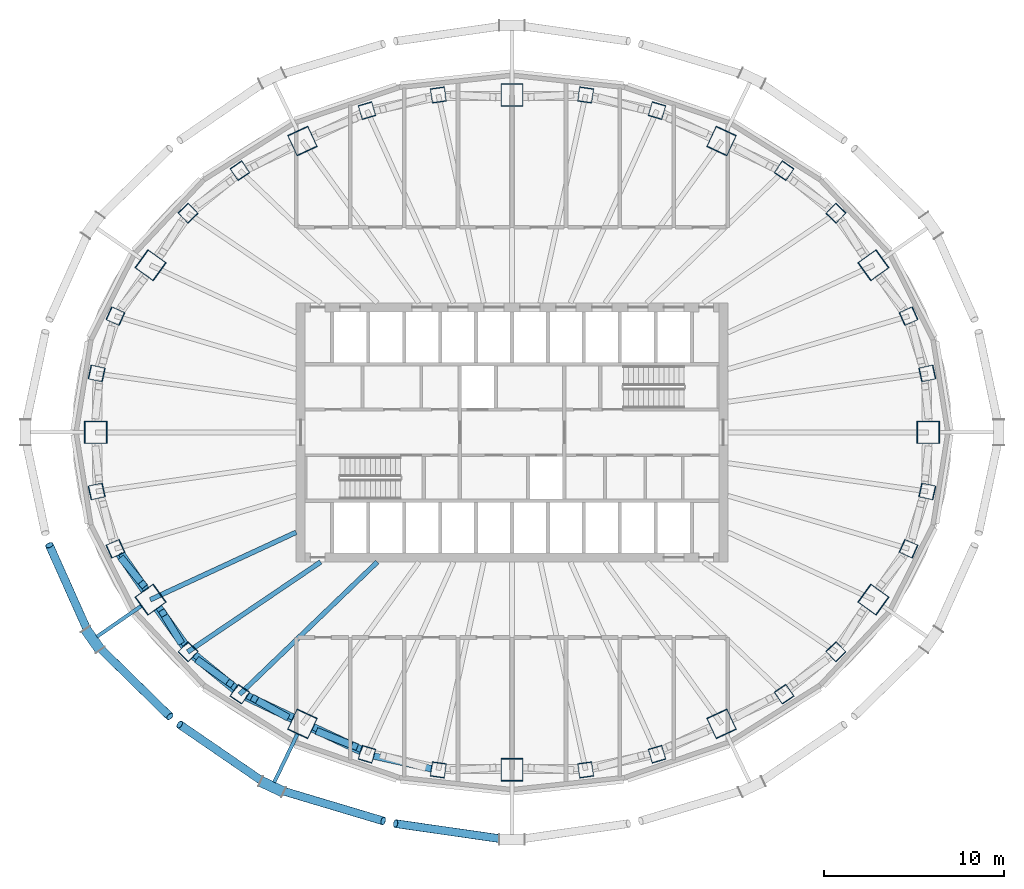
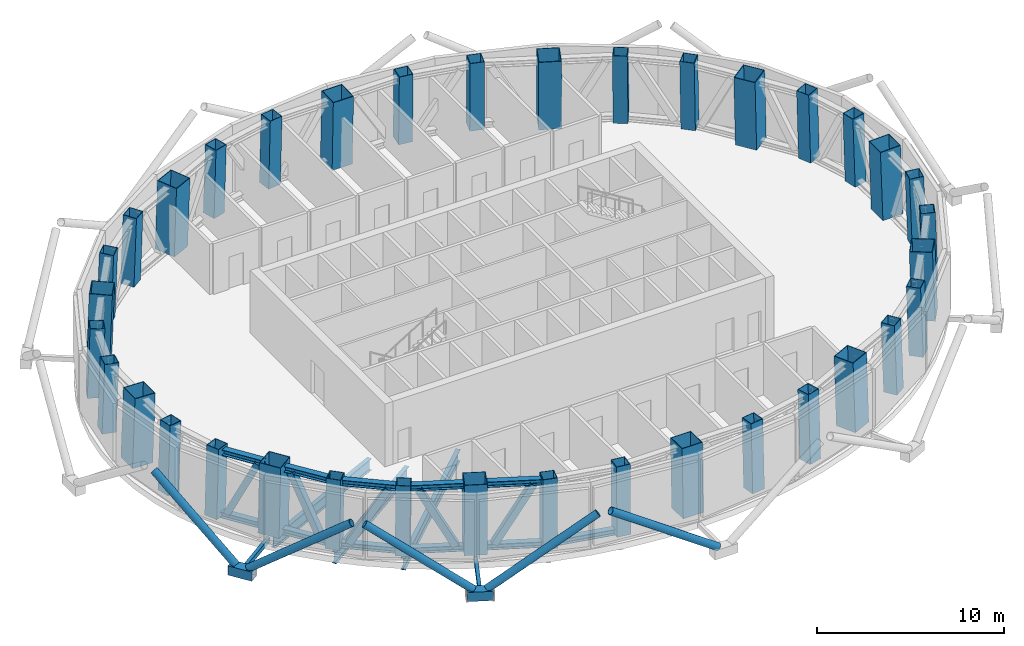
# One storey, part 1 of 16: 36 columns, 14 beams, 14 members.
"""IFC4 building model written with IfcOpenShell, lengths in metres."""

import ifcopenshell
import ifcopenshell.guid

model = None  # the IFC model being written
_history = None  # IfcOwnerHistory: only IFC2X3 demands one
_inside = {}  # id of a spatial element -> (the spatial element, [elements in it])
_under = {}  # id of a project, library or spatial element -> (it, [spatial elements below it])
_declared = {}  # id of a project -> (the project, [libraries it declares])
_typed = {}  # id of a type object -> (the type object, [elements of that type])
_made_of = {}  # id of a material, layer set ... -> (it, [elements and type objects made of it])


def new_model(schema):
    """Start an empty IFC model of exactly this schema.

    Asked for "IFC4X3", IfcOpenShell would pick the latest addendum, in which some entities
    have other attributes; the version numbers below select the first issue.
    IFC2X3 requires an IfcOwnerHistory on every rooted entity: one is made here for all.
    """
    global model, _history
    if schema == "IFC4X3":
        model = ifcopenshell.file(schema_version=(4, 3, 0, 0))
    else:
        model = ifcopenshell.file(schema=schema)
    _inside.clear()
    _under.clear()
    _declared.clear()
    _typed.clear()
    _made_of.clear()
    _history = None
    if model.schema == "IFC2X3":
        org = make("IfcOrganization", Name="unknown")
        user = make(
            "IfcPersonAndOrganization",
            ThePerson=make("IfcPerson", FamilyName="unknown"),
            TheOrganization=org,
        )
        app = make(
            "IfcApplication",
            ApplicationDeveloper=org,
            Version="unknown",
            ApplicationFullName="unknown",
            ApplicationIdentifier="unknown",
        )
        _history = make(
            "IfcOwnerHistory",
            OwningUser=user,
            OwningApplication=app,
            ChangeAction="ADDED",
            CreationDate=0,
        )
    return model


def make(cls, **values):
    """One entity of the class cls with the attributes given. An attribute that is None is left unset."""
    return model.create_entity(
        cls, **{name: value for name, value in values.items() if value is not None}
    )


def rooted(cls, **values):
    """An entity with a GlobalId (a new one), such as an element, a storey or a relation."""
    return make(cls, GlobalId=ifcopenshell.guid.new(), OwnerHistory=_history, **values)


def si_unit(unit_type, name, prefix=None):
    """IfcSIUnit, for example si_unit("LENGTHUNIT", "METRE", prefix="MILLI")."""
    return make("IfcSIUnit", UnitType=unit_type, Prefix=prefix, Name=name)


def assignment(units):
    """IfcUnitAssignment: the units of a project."""
    return None if units is None else make("IfcUnitAssignment", Units=units)


def point(xyz):
    """IfcCartesianPoint."""
    return None if xyz is None else make("IfcCartesianPoint", Coordinates=xyz)


def direction(xyz):
    """IfcDirection."""
    return None if xyz is None else make("IfcDirection", DirectionRatios=xyz)


def frame(location, z_axis=None, x_axis=None):
    """IfcAxis2Placement3D, a coordinate frame: its origin and axes. An axis left out is left unset."""
    return make(
        "IfcAxis2Placement3D",
        Location=point(location),
        Axis=direction(z_axis),
        RefDirection=direction(x_axis),
    )


def frame_2d(location, x_axis=None):
    """IfcAxis2Placement2D, a coordinate frame in the plane: its origin and x axis."""
    return make(
        "IfcAxis2Placement2D", Location=point(location), RefDirection=direction(x_axis)
    )


def origin():
    """The frame at (0, 0, 0) with its axes left unset."""
    return frame((0.0, 0.0, 0.0))


def origin_2d():
    """The frame at (0, 0) in the plane with its x axis left unset."""
    return frame_2d((0.0, 0.0))


def place(relative_to, where):
    """IfcLocalPlacement: puts the frame where relative to a parent placement (None: the world)."""
    return make(
        "IfcLocalPlacement", PlacementRelTo=relative_to, RelativePlacement=where
    )


def context(
    kind, dimensions, precision=None, world=None, true_north=None, identifier=None
):
    """IfcGeometricRepresentationContext, for example the 3D "Model" context."""
    return make(
        "IfcGeometricRepresentationContext",
        ContextIdentifier=identifier,
        ContextType=kind,
        CoordinateSpaceDimension=dimensions,
        Precision=precision,
        WorldCoordinateSystem=world,
        TrueNorth=true_north,
    )


def subcontext(parent, identifier, kind, view, scale=None):
    """IfcGeometricRepresentationSubContext, for example "Body" below "Model"."""
    return make(
        "IfcGeometricRepresentationSubContext",
        ContextIdentifier=identifier,
        ContextType=kind,
        ParentContext=parent,
        TargetScale=scale,
        TargetView=view,
    )


def project(units=None, contexts=None):
    """IfcProject with its units and contexts."""
    return rooted(
        "IfcProject",
        Name="project",
        RepresentationContexts=contexts,
        UnitsInContext=assignment(units),
    )


def spatial(cls, under=None, at=None, **own):
    """A site, building, storey or space (cls), placed at a placement, below another one or the project."""
    s = rooted(cls, ObjectPlacement=at, **own)
    if under is not None:
        _under.setdefault(under.id(), (under, []))[1].append(s)
    return s


def profile(cls, at=None, kind="AREA", **sizes):
    """A parametric profile (cls). Its sizes go by their IFC names, for example OverallWidth=200.0."""
    return make(cls, ProfileType=kind, Position=at, **sizes)


def hollow_rectangle(**sizes):
    """IfcRectangleHollowProfileDef."""
    return profile("IfcRectangleHollowProfileDef", **sizes)


def hollow_circle(**sizes):
    """IfcCircleHollowProfileDef."""
    return profile("IfcCircleHollowProfileDef", **sizes)


def i_section(**sizes):
    """IfcIShapeProfileDef."""
    return profile("IfcIShapeProfileDef", **sizes)


def extrude(swept, where, along, depth):
    """IfcExtrudedAreaSolid: the profile swept, set in the frame where, extruded along a direction by depth."""
    return make(
        "IfcExtrudedAreaSolid",
        SweptArea=swept,
        Position=where,
        ExtrudedDirection=direction(along),
        Depth=depth,
    )


def shape(context_of_items, identifier, shape_type, items):
    """IfcShapeRepresentation: the items that make up one representation, for example the "Body"."""
    return make(
        "IfcShapeRepresentation",
        ContextOfItems=context_of_items,
        RepresentationIdentifier=identifier,
        RepresentationType=shape_type,
        Items=items,
    )


def material(Name=None, Category=None):
    """IfcMaterial."""
    return make("IfcMaterial", Name=Name, Category=Category)


def material_profile(
    of_material, cross_section, Name=None, Category=None, Priority=None
):
    """IfcMaterialProfile: a cross section and its material."""
    return make(
        "IfcMaterialProfile",
        Name=Name,
        Material=of_material,
        Profile=cross_section,
        Priority=Priority,
        Category=Category,
    )


def profile_set(profiles, Name=None, composite=None):
    """IfcMaterialProfileSet."""
    return make(
        "IfcMaterialProfileSet",
        Name=Name,
        MaterialProfiles=profiles,
        CompositeProfile=composite,
    )


def made_of(thing, what):
    """Note that an element or type object is made of a material, layer set ...; save() writes the relation."""
    if what is not None:
        _made_of.setdefault(what.id(), (what, []))[1].append(thing)
    return thing


def type_object(cls, material=None, **own):
    """A type object (cls), such as IfcWallType, which elements share."""
    return made_of(rooted(cls, **own), material)


def element(
    cls,
    number,
    at=None,
    inside=None,
    cuts=None,
    type_object=None,
    material=None,
    context=None,
    identifier="Body",
    shape_type=None,
    held_by="IfcProductDefinitionShape",
    body=None,
    shapes=None,
    **own,
):
    """One element of the class cls, such as IfcWall. Its Tag is "e" and its number.

    at: its placement. inside: the storey or other place that contains it. cuts: it is an
    opening in that element (IfcRelVoidsElement). A single representation is given by context,
    identifier, shape_type and body (its items); several are given by shapes. held_by: the class
    of the entity that holds the representations. save() writes the other relations.
    """
    e = rooted(cls, Tag="e%d" % number, ObjectPlacement=at, **own)
    if body is not None:
        shapes = [shape(context, identifier, shape_type, body)]
    if shapes is not None:
        e.Representation = make(held_by, Representations=shapes)
    if inside is not None:
        _inside.setdefault(inside.id(), (inside, []))[1].append(e)
    if cuts is not None:
        rooted(
            "IfcRelVoidsElement", RelatingBuildingElement=cuts, RelatedOpeningElement=e
        )
    if type_object is not None:
        _typed.setdefault(type_object.id(), (type_object, []))[1].append(e)
    return made_of(e, material)


def aggregate(whole, parts):
    """IfcRelAggregates: a whole, such as a stair, and the parts it consists of."""
    return rooted("IfcRelAggregates", RelatingObject=whole, RelatedObjects=parts)


def save(model, path):
    """Write the relations noted so far, then the file.

    IfcRelAggregates (storeys below a building ...), IfcRelContainedInSpatialStructure (elements
    in a storey), IfcRelDefinesByType, IfcRelAssociatesMaterial and IfcRelDeclares: one each for
    every whole, place, type object, material and project.
    """
    for whole, parts in _under.values():
        aggregate(whole, parts)
    for where, things in _inside.values():
        rooted(
            "IfcRelContainedInSpatialStructure",
            RelatedElements=things,
            RelatingStructure=where,
        )
    for kind, things in _typed.values():
        rooted("IfcRelDefinesByType", RelatedObjects=things, RelatingType=kind)
    for what, things in _made_of.values():
        rooted("IfcRelAssociatesMaterial", RelatedObjects=things, RelatingMaterial=what)
    for by, libraries in _declared.values():
        rooted("IfcRelDeclares", RelatingContext=by, RelatedDefinitions=libraries)
    model.write(path)


model = new_model("IFC4")

# Units and contexts
model_context = context("Model", 3, precision=1e-05, world=origin(), true_north=direction((0.0, 1.0)))
body_context = subcontext(model_context, "Body", "Model", "MODEL_VIEW")
ifc_project = project(units=[si_unit("LENGTHUNIT", "METRE"), si_unit("AREAUNIT", "SQUARE_METRE"), si_unit("VOLUMEUNIT", "CUBIC_METRE"), si_unit("PLANEANGLEUNIT", "RADIAN"), si_unit("MASSUNIT", "GRAM", prefix="KILO")], contexts=[model_context])

# Site, building, storey
site_placement = place(None, origin())
site = spatial("IfcSite", under=ifc_project, at=site_placement, CompositionType="ELEMENT")
building_placement = place(site_placement, origin())
building = spatial("IfcBuilding", under=site, at=building_placement, Name="Siaravel Broadcast Tower", CompositionType="ELEMENT")
storey_placement = place(building_placement, frame((0.0, 0.0, 152.60009765625)))
storey = spatial("IfcBuildingStorey", under=building, at=storey_placement, Name="L36", CompositionType="ELEMENT", Elevation=152.60009765625)

# Columns
ifc_material_1 = material(Name="Concrete C60/75", Category="concrete")
ifc_material_profile_1 = material_profile(ifc_material_1, hollow_rectangle(XDim=1.25, YDim=1.25, WallThickness=0.031982421875, at=origin_2d()))
ifc_profile_set_1 = profile_set([ifc_material_profile_1], Name="Concrete C60/75")
column_type_1 = type_object("IfcColumnType", Name="COL-CFT BOX 1250x1250x32", PredefinedType="COLUMN", material=ifc_profile_set_1)
column_1_placement = place(storey_placement, frame((23.16064453125, 0.0, 0.0), z_axis=(-0.034592998, 0.0, 0.999401483), x_axis=(0.0, -1.0, 0.0)))
element("IfcColumn", 1, at=column_1_placement, inside=storey, type_object=column_type_1, Name="Megacolumn MC01", PredefinedType="COLUMN", context=body_context, shape_type="SweptSolid", body=[
    extrude(hollow_rectangle(XDim=1.25, YDim=1.25, WallThickness=0.031982421875, at=origin_2d()), origin(), (0.0, 0.0, 1.0), 4.502685546875),
])
column_2_placement = place(storey_placement, frame((20.111328125, 9.302490234375, 0.0), z_axis=(-0.02998565, -0.014206583, 0.999449365), x_axis=(0.583531555, -0.812068564, 0.005964138)))
element("IfcColumn", 2, at=column_2_placement, inside=storey, type_object=column_type_1, Name="Megacolumn MC02", PredefinedType="COLUMN", context=body_context, shape_type="SweptSolid", body=[
    extrude(hollow_rectangle(XDim=1.25, YDim=1.25, WallThickness=0.031982421875, at=origin_2d()), origin(), (0.0, 0.0, 1.0), 4.50244140625),
])
column_3_placement = place(storey_placement, frame((11.66015625, 16.21533203125, 0.0), z_axis=(-0.017299067, -0.024511531, 0.999549862), x_axis=(0.90770411, -0.419575818, 0.005420429)))
element("IfcColumn", 3, at=column_3_placement, inside=storey, type_object=column_type_1, Name="Megacolumn MC03", PredefinedType="COLUMN", context=body_context, shape_type="SweptSolid", body=[
    extrude(hollow_rectangle(XDim=1.25, YDim=1.25, WallThickness=0.031982421875, at=origin_2d()), origin(), (0.0, 0.0, 1.0), 4.501953125),
])
column_4_placement = place(storey_placement, frame((0.0, 18.772216796875, 0.0), z_axis=(0.0, -0.02836315, 0.999597685), x_axis=(1.0, 0.0, 0.0)))
element("IfcColumn", 4, at=column_4_placement, inside=storey, type_object=column_type_1, Name="Megacolumn MC04", PredefinedType="COLUMN", context=body_context, shape_type="SweptSolid", body=[
    extrude(hollow_rectangle(XDim=1.25, YDim=1.25, WallThickness=0.031982421875, at=origin_2d()), origin(), (0.0, 0.0, 1.0), 4.501708984375),
])
column_5_placement = place(storey_placement, frame((-11.66015625, 16.21533203125, 0.0), z_axis=(0.017299067, -0.024511531, 0.999549862), x_axis=(0.90770411, 0.419575818, -0.005420429)))
element("IfcColumn", 5, at=column_5_placement, inside=storey, type_object=column_type_1, Name="Megacolumn MC05", PredefinedType="COLUMN", context=body_context, shape_type="SweptSolid", body=[
    extrude(hollow_rectangle(XDim=1.25, YDim=1.25, WallThickness=0.031982421875, at=origin_2d()), origin(), (0.0, 0.0, 1.0), 4.501953125),
])
column_6_placement = place(storey_placement, frame((-20.111328125, 9.302490234375, 0.0), z_axis=(0.02998565, -0.014206583, 0.999449365), x_axis=(0.583531555, 0.812068564, -0.005964138)))
element("IfcColumn", 6, at=column_6_placement, inside=storey, type_object=column_type_1, Name="Megacolumn MC06", PredefinedType="COLUMN", context=body_context, shape_type="SweptSolid", body=[
    extrude(hollow_rectangle(XDim=1.25, YDim=1.25, WallThickness=0.031982421875, at=origin_2d()), origin(), (0.0, 0.0, 1.0), 4.50244140625),
])
column_7_placement = place(storey_placement, frame((-23.16064453125, 0.0, 0.0), z_axis=(0.034592998, 0.0, 0.999401483), x_axis=(0.0, 1.0, 0.0)))
element("IfcColumn", 7, at=column_7_placement, inside=storey, type_object=column_type_1, Name="Megacolumn MC07", PredefinedType="COLUMN", context=body_context, shape_type="SweptSolid", body=[
    extrude(hollow_rectangle(XDim=1.25, YDim=1.25, WallThickness=0.031982421875, at=origin_2d()), origin(), (0.0, 0.0, 1.0), 4.502685546875),
])
column_8_placement = place(storey_placement, frame((-20.111328125, -9.302490234375, 0.0), z_axis=(0.02998565, 0.014206583, 0.999449365), x_axis=(-0.583531555, 0.812068564, 0.005964138)))
element("IfcColumn", 8, at=column_8_placement, inside=storey, type_object=column_type_1, Name="Megacolumn MC08", PredefinedType="COLUMN", context=body_context, shape_type="SweptSolid", body=[
    extrude(hollow_rectangle(XDim=1.25, YDim=1.25, WallThickness=0.031982421875, at=origin_2d()), origin(), (0.0, 0.0, 1.0), 4.50244140625),
])
column_9_placement = place(storey_placement, frame((-11.66015625, -16.21533203125, 0.0), z_axis=(0.017299067, 0.024511531, 0.999549862), x_axis=(-0.90770411, 0.419575818, 0.005420429)))
element("IfcColumn", 9, at=column_9_placement, inside=storey, type_object=column_type_1, Name="Megacolumn MC09", PredefinedType="COLUMN", context=body_context, shape_type="SweptSolid", body=[
    extrude(hollow_rectangle(XDim=1.25, YDim=1.25, WallThickness=0.031982421875, at=origin_2d()), origin(), (0.0, 0.0, 1.0), 4.501953125),
])
column_10_placement = place(storey_placement, frame((0.0, -18.772216796875, 0.0), z_axis=(0.0, 0.02836315, 0.999597685), x_axis=(-1.0, 0.0, 0.0)))
element("IfcColumn", 10, at=column_10_placement, inside=storey, type_object=column_type_1, Name="Megacolumn MC10", PredefinedType="COLUMN", context=body_context, shape_type="SweptSolid", body=[
    extrude(hollow_rectangle(XDim=1.25, YDim=1.25, WallThickness=0.031982421875, at=origin_2d()), origin(), (0.0, 0.0, 1.0), 4.501708984375),
])
column_11_placement = place(storey_placement, frame((11.66015625, -16.21533203125, 0.0), z_axis=(-0.017299067, 0.024511531, 0.999549862), x_axis=(-0.90770411, -0.419575818, -0.005420429)))
element("IfcColumn", 11, at=column_11_placement, inside=storey, type_object=column_type_1, Name="Megacolumn MC11", PredefinedType="COLUMN", context=body_context, shape_type="SweptSolid", body=[
    extrude(hollow_rectangle(XDim=1.25, YDim=1.25, WallThickness=0.031982421875, at=origin_2d()), origin(), (0.0, 0.0, 1.0), 4.501953125),
])
column_12_placement = place(storey_placement, frame((20.111328125, -9.302490234375, 0.0), z_axis=(-0.02998565, 0.014206583, 0.999449365), x_axis=(-0.583531555, -0.812068564, -0.005964138)))
element("IfcColumn", 12, at=column_12_placement, inside=storey, type_object=column_type_1, Name="Megacolumn MC12", PredefinedType="COLUMN", context=body_context, shape_type="SweptSolid", body=[
    extrude(hollow_rectangle(XDim=1.25, YDim=1.25, WallThickness=0.031982421875, at=origin_2d()), origin(), (0.0, 0.0, 1.0), 4.50244140625),
])
ifc_material_profile_2 = material_profile(ifc_material_1, hollow_rectangle(XDim=0.800048828125, YDim=0.800048828125, WallThickness=0.02490234375, at=origin_2d()))
ifc_profile_set_2 = profile_set([ifc_material_profile_2], Name="Concrete C60/75")
column_type_2 = type_object("IfcColumnType", Name="COL-CFT BOX 800x800x25", PredefinedType="COLUMN", material=ifc_profile_set_2)
for number, where, z_axis, x_axis, name in (
    (13, (23.110107421875, 3.282470703125, 0.0), (-0.034105166, -0.004934134, 0.99940607), (0.21293922, -0.977062394, 0.002442822), "Perimeter column C01"),
    (14, (22.06640625, 6.4716796875, 0.0), (-0.03247917, -0.009651573, 0.99942581), (0.409244224, -0.912413843, 0.004488261), "Perimeter column C02"),
):
    element("IfcColumn", number, at=place(storey_placement, frame(where, z_axis=z_axis, x_axis=x_axis)), inside=storey, type_object=column_type_2, Name=name, PredefinedType="COLUMN", context=body_context, shape_type="SweptSolid", body=[
        extrude(hollow_rectangle(XDim=0.800048828125, YDim=0.800048828125, WallThickness=0.02490234375, at=origin_2d()), origin(), (0.0, 0.0, 1.0), 4.502685546875),
    ])
column_13_placement = place(storey_placement, frame((18.02587890625, 12.201171875, 0.0), z_axis=(-0.026516214, -0.01821973, 0.999482332), x_axis=(0.720363696, -0.69356637, 0.006468074)))
element("IfcColumn", 15, at=column_13_placement, inside=storey, type_object=column_type_2, Name="Perimeter column C03", PredefinedType="COLUMN", context=body_context, shape_type="SweptSolid", body=[
    extrude(hollow_rectangle(XDim=0.800048828125, YDim=0.800048828125, WallThickness=0.02490234375, at=origin_2d()), origin(), (0.0, 0.0, 1.0), 4.50244140625),
])
column_14_placement = place(storey_placement, frame((15.141357421875, 14.563720703125, 0.0), z_axis=(-0.02223319, -0.021690917, 0.999517478), x_axis=(0.82804639, -0.560624723, 0.006252666)))
element("IfcColumn", 16, at=column_14_placement, inside=storey, type_object=column_type_2, Name="Perimeter column C04", PredefinedType="COLUMN", context=body_context, shape_type="SweptSolid", body=[
    extrude(hollow_rectangle(XDim=0.800048828125, YDim=0.800048828125, WallThickness=0.02490234375, at=origin_2d()), origin(), (0.0, 0.0, 1.0), 4.502197265625),
])
for number, where, z_axis, x_axis, name in (
    (17, (8.069091796875, 17.906982421875, 0.0), (-0.011822237, -0.026627147, 0.999575525), (0.959856616, -0.28046428, 0.003881336), "Perimeter column C05"),
    (18, (4.098388671875, 18.778564453125, 0.0), (-0.006019677, -0.027929132, 0.99959178), (0.990093313, -0.140396121, 0.002039733), "Perimeter column C06"),
    (19, (-4.098388671875, 18.778564453125, 0.0), (0.006019677, -0.027929132, 0.99959178), (0.990093313, 0.140396121, -0.002039733), "Perimeter column C07"),
    (20, (-8.069091796875, 17.906982421875, 0.0), (0.011822237, -0.026627147, 0.999575525), (0.959856616, 0.28046428, -0.003881336), "Perimeter column C08"),
):
    element("IfcColumn", number, at=place(storey_placement, frame(where, z_axis=z_axis, x_axis=x_axis)), inside=storey, type_object=column_type_2, Name=name, PredefinedType="COLUMN", context=body_context, shape_type="SweptSolid", body=[
        extrude(hollow_rectangle(XDim=0.800048828125, YDim=0.800048828125, WallThickness=0.02490234375, at=origin_2d()), origin(), (0.0, 0.0, 1.0), 4.501953125),
    ])
column_15_placement = place(storey_placement, frame((-15.141357421875, 14.563720703125, 0.0), z_axis=(0.02223319, -0.021690917, 0.999517478), x_axis=(0.82804639, 0.560624723, -0.006252666)))
element("IfcColumn", 21, at=column_15_placement, inside=storey, type_object=column_type_2, Name="Perimeter column C09", PredefinedType="COLUMN", context=body_context, shape_type="SweptSolid", body=[
    extrude(hollow_rectangle(XDim=0.800048828125, YDim=0.800048828125, WallThickness=0.02490234375, at=origin_2d()), origin(), (0.0, 0.0, 1.0), 4.502197265625),
])
column_16_placement = place(storey_placement, frame((-18.02587890625, 12.201171875, 0.0), z_axis=(0.026516214, -0.01821973, 0.999482332), x_axis=(0.720363696, 0.69356637, -0.006468074)))
element("IfcColumn", 22, at=column_16_placement, inside=storey, type_object=column_type_2, Name="Perimeter column C10", PredefinedType="COLUMN", context=body_context, shape_type="SweptSolid", body=[
    extrude(hollow_rectangle(XDim=0.800048828125, YDim=0.800048828125, WallThickness=0.02490234375, at=origin_2d()), origin(), (0.0, 0.0, 1.0), 4.50244140625),
])
for number, where, z_axis, x_axis, name in (
    (23, (-22.06640625, 6.4716796875, 0.0), (0.03247917, -0.009651573, 0.99942581), (0.409244224, 0.912413843, -0.004488261), "Perimeter column C11"),
    (24, (-23.110107421875, 3.282470703125, 0.0), (0.034105166, -0.004934134, 0.99940607), (0.21293922, 0.977062394, -0.002442822), "Perimeter column C12"),
    (25, (-23.110107421875, -3.282470703125, 0.0), (0.034105166, 0.004934134, 0.99940607), (-0.21293922, 0.977062394, 0.002442822), "Perimeter column C13"),
    (26, (-22.06640625, -6.4716796875, 0.0), (0.03247917, 0.009651573, 0.99942581), (-0.409244224, 0.912413843, 0.004488261), "Perimeter column C14"),
):
    element("IfcColumn", number, at=place(storey_placement, frame(where, z_axis=z_axis, x_axis=x_axis)), inside=storey, type_object=column_type_2, Name=name, PredefinedType="COLUMN", context=body_context, shape_type="SweptSolid", body=[
        extrude(hollow_rectangle(XDim=0.800048828125, YDim=0.800048828125, WallThickness=0.02490234375, at=origin_2d()), origin(), (0.0, 0.0, 1.0), 4.502685546875),
    ])
column_17_placement = place(storey_placement, frame((-18.02587890625, -12.201171875, 0.0), z_axis=(0.026516214, 0.01821973, 0.999482332), x_axis=(-0.720363696, 0.69356637, 0.006468074)))
element("IfcColumn", 27, at=column_17_placement, inside=storey, type_object=column_type_2, Name="Perimeter column C15", PredefinedType="COLUMN", context=body_context, shape_type="SweptSolid", body=[
    extrude(hollow_rectangle(XDim=0.800048828125, YDim=0.800048828125, WallThickness=0.02490234375, at=origin_2d()), origin(), (0.0, 0.0, 1.0), 4.50244140625),
])
column_18_placement = place(storey_placement, frame((-15.141357421875, -14.563720703125, 0.0), z_axis=(0.02223319, 0.021690917, 0.999517478), x_axis=(-0.82804639, 0.560624723, 0.006252666)))
element("IfcColumn", 28, at=column_18_placement, inside=storey, type_object=column_type_2, Name="Perimeter column C16", PredefinedType="COLUMN", context=body_context, shape_type="SweptSolid", body=[
    extrude(hollow_rectangle(XDim=0.800048828125, YDim=0.800048828125, WallThickness=0.02490234375, at=origin_2d()), origin(), (0.0, 0.0, 1.0), 4.502197265625),
])
for number, where, z_axis, x_axis, name in (
    (29, (-8.069091796875, -17.906982421875, 0.0), (0.011822237, 0.026627147, 0.999575525), (-0.959856616, 0.28046428, 0.003881336), "Perimeter column C17"),
    (30, (-4.098388671875, -18.778564453125, 0.0), (0.006019677, 0.027929132, 0.99959178), (-0.990093313, 0.140396121, 0.002039733), "Perimeter column C18"),
    (31, (4.098388671875, -18.778564453125, 0.0), (-0.006019677, 0.027929132, 0.99959178), (-0.990093313, -0.140396121, -0.002039733), "Perimeter column C19"),
    (32, (8.069091796875, -17.906982421875, 0.0), (-0.011822237, 0.026627147, 0.999575525), (-0.959856616, -0.28046428, -0.003881336), "Perimeter column C20"),
):
    element("IfcColumn", number, at=place(storey_placement, frame(where, z_axis=z_axis, x_axis=x_axis)), inside=storey, type_object=column_type_2, Name=name, PredefinedType="COLUMN", context=body_context, shape_type="SweptSolid", body=[
        extrude(hollow_rectangle(XDim=0.800048828125, YDim=0.800048828125, WallThickness=0.02490234375, at=origin_2d()), origin(), (0.0, 0.0, 1.0), 4.501953125),
    ])
column_19_placement = place(storey_placement, frame((15.141357421875, -14.563720703125, 0.0), z_axis=(-0.02223319, 0.021690917, 0.999517478), x_axis=(-0.82804639, -0.560624723, -0.006252666)))
element("IfcColumn", 33, at=column_19_placement, inside=storey, type_object=column_type_2, Name="Perimeter column C21", PredefinedType="COLUMN", context=body_context, shape_type="SweptSolid", body=[
    extrude(hollow_rectangle(XDim=0.800048828125, YDim=0.800048828125, WallThickness=0.02490234375, at=origin_2d()), origin(), (0.0, 0.0, 1.0), 4.502197265625),
])
column_20_placement = place(storey_placement, frame((18.02587890625, -12.201171875, 0.0), z_axis=(-0.026516214, 0.01821973, 0.999482332), x_axis=(-0.720363696, -0.69356637, -0.006468074)))
element("IfcColumn", 34, at=column_20_placement, inside=storey, type_object=column_type_2, Name="Perimeter column C22", PredefinedType="COLUMN", context=body_context, shape_type="SweptSolid", body=[
    extrude(hollow_rectangle(XDim=0.800048828125, YDim=0.800048828125, WallThickness=0.02490234375, at=origin_2d()), origin(), (0.0, 0.0, 1.0), 4.50244140625),
])
for number, where, z_axis, x_axis, name in (
    (35, (22.06640625, -6.4716796875, 0.0), (-0.03247917, 0.009651573, 0.99942581), (-0.409244224, -0.912413843, -0.004488261), "Perimeter column C23"),
    (36, (23.110107421875, -3.282470703125, 0.0), (-0.034105166, 0.004934134, 0.99940607), (-0.21293922, -0.977062394, -0.002442822), "Perimeter column C24"),
):
    element("IfcColumn", number, at=place(storey_placement, frame(where, z_axis=z_axis, x_axis=x_axis)), inside=storey, type_object=column_type_2, Name=name, PredefinedType="COLUMN", context=body_context, shape_type="SweptSolid", body=[
        extrude(hollow_rectangle(XDim=0.800048828125, YDim=0.800048828125, WallThickness=0.02490234375, at=origin_2d()), origin(), (0.0, 0.0, 1.0), 4.502685546875),
    ])

# Beams
ifc_material_2 = material(Name="Steel S355", Category="steel")
ifc_material_profile_3 = material_profile(ifc_material_2, i_section(OverallWidth=0.26513671875, OverallDepth=0.75390625, WebThickness=0.0126953125, FlangeThickness=0.017578125, FilletRadius=0.0166015625, at=origin_2d()))
ifc_profile_set_3 = profile_set([ifc_material_profile_3], Name="Steel S355")
beam_type_1 = type_object("IfcBeamType", Name="BM-UB 762x267x147", PredefinedType="BEAM", material=ifc_profile_set_3)
beam_1_placement = place(storey_placement, frame((-20.111328125, -9.302490234375, -0.777099609375), z_axis=(0.907607264, 0.419820264, 0.0), x_axis=(-0.419820264, 0.907607264, 0.0)))
element("IfcBeam", 37, at=beam_1_placement, inside=storey, type_object=beam_type_1, Name="Radial beam RB22", PredefinedType="BEAM", context=body_context, shape_type="SweptSolid", body=[
    extrude(i_section(OverallWidth=0.26513671875, OverallDepth=0.75390625, WebThickness=0.0126953125, FlangeThickness=0.017578125, FilletRadius=0.0166015625, at=origin_2d()), origin(), (0.0, 0.0, 1.0), 8.93701171875),
])
beam_2_placement = place(storey_placement, frame((-18.02587890625, -12.201171875, -0.777099609375), z_axis=(0.828127255, 0.560540141, 0.0), x_axis=(-0.560540141, 0.828127255, 0.0)))
element("IfcBeam", 38, at=beam_2_placement, inside=storey, type_object=beam_type_1, Name="Radial beam RB23", PredefinedType="BEAM", context=body_context, shape_type="SweptSolid", body=[
    extrude(i_section(OverallWidth=0.26513671875, OverallDepth=0.75390625, WebThickness=0.0126953125, FlangeThickness=0.017578125, FilletRadius=0.0166015625, at=origin_2d()), origin(), (0.0, 0.0, 1.0), 8.922119140625),
])
beam_3_placement = place(storey_placement, frame((-15.141357421875, -14.563720703125, -0.777099609375), z_axis=(0.720717342, 0.693229048, 0.0), x_axis=(-0.693229048, 0.720717342, 0.0)))
element("IfcBeam", 39, at=beam_3_placement, inside=storey, type_object=beam_type_1, Name="Radial beam RB24", PredefinedType="BEAM", context=body_context, shape_type="SweptSolid", body=[
    extrude(i_section(OverallWidth=0.26513671875, OverallDepth=0.75390625, WebThickness=0.0126953125, FlangeThickness=0.017578125, FilletRadius=0.0166015625, at=origin_2d()), origin(), (0.0, 0.0, 1.0), 10.622314453125),
])
ifc_material_3 = material(Name="Steel S460", Category="steel")
ifc_material_profile_4 = material_profile(ifc_material_3, i_section(OverallWidth=0.37255859375, OverallDepth=0.3681640625, WebThickness=0.01220703125, FlangeThickness=0.023681640625, FilletRadius=0.01513671875, at=origin_2d()))
ifc_profile_set_4 = profile_set([ifc_material_profile_4], Name="Steel S460")
beam_type_2 = type_object("IfcBeamType", Name="Belt truss chord UC 356x368x177", PredefinedType="BEAM", material=ifc_profile_set_4)
beam_4_placement = place(storey_placement, frame((-21.856201171875, -6.776123046875, 0.18408203125), z_axis=(0.568327471, -0.822802458, 0.0), x_axis=(0.822802458, 0.568327471, 0.0)))
element("IfcBeam", 40, at=beam_4_placement, inside=storey, type_object=beam_type_2, Name="Belt truss 2 bottom chord 21", PredefinedType="BEAM", context=body_context, shape_type="SweptSolid", body=[
    extrude(i_section(OverallWidth=0.37255859375, OverallDepth=0.3681640625, WebThickness=0.01220703125, FlangeThickness=0.023681640625, FilletRadius=0.01513671875, at=origin_2d()), origin(), (0.0, 0.0, 1.0), 2.475341796875),
])
beam_5_placement = place(storey_placement, frame((-21.709716796875, -6.732421875, 4.165771484375), z_axis=(0.568863075, -0.822432248, 0.0), x_axis=(0.822432248, 0.568863075, 0.0)))
element("IfcBeam", 41, at=beam_5_placement, inside=storey, type_object=beam_type_2, Name="Belt truss 2 top chord 21", PredefinedType="BEAM", context=body_context, shape_type="SweptSolid", body=[
    extrude(i_section(OverallWidth=0.37255859375, OverallDepth=0.3681640625, WebThickness=0.01220703125, FlangeThickness=0.023681640625, FilletRadius=0.01513671875, at=origin_2d()), origin(), (0.0, 0.0, 1.0), 2.452392578125),
])
beam_6_placement = place(storey_placement, frame((-19.763916015625, -9.785400390625, 0.18408203125), z_axis=(0.58400854, -0.811747513, 0.0), x_axis=(0.811747513, 0.58400854, 0.0)))
element("IfcBeam", 42, at=beam_6_placement, inside=storey, type_object=beam_type_2, Name="Belt truss 2 bottom chord 22", PredefinedType="BEAM", context=body_context, shape_type="SweptSolid", body=[
    extrude(i_section(OverallWidth=0.37255859375, OverallDepth=0.3681640625, WebThickness=0.01220703125, FlangeThickness=0.023681640625, FilletRadius=0.01513671875, at=origin_2d()), origin(), (0.0, 0.0, 1.0), 2.606201171875),
])
beam_7_placement = place(storey_placement, frame((-19.629150390625, -9.7216796875, 4.165771484375), z_axis=(0.583489916, -0.812120384, 0.0), x_axis=(0.812120384, 0.583489916, 0.0)))
element("IfcBeam", 43, at=beam_7_placement, inside=storey, type_object=beam_type_2, Name="Belt truss 2 top chord 22", PredefinedType="BEAM", context=body_context, shape_type="SweptSolid", body=[
    extrude(i_section(OverallWidth=0.37255859375, OverallDepth=0.3681640625, WebThickness=0.01220703125, FlangeThickness=0.023681640625, FilletRadius=0.01513671875, at=origin_2d()), origin(), (0.0, 0.0, 1.0), 2.58203125),
])
beam_8_placement = place(storey_placement, frame((-17.73974609375, -12.435546875, 0.18408203125), z_axis=(0.773636931, -0.633629149, 0.0), x_axis=(0.633629149, 0.773636931, 0.0)))
element("IfcBeam", 44, at=beam_8_placement, inside=storey, type_object=beam_type_2, Name="Belt truss 2 bottom chord 23", PredefinedType="BEAM", context=body_context, shape_type="SweptSolid", body=[
    extrude(i_section(OverallWidth=0.37255859375, OverallDepth=0.3681640625, WebThickness=0.01220703125, FlangeThickness=0.023681640625, FilletRadius=0.01513671875, at=origin_2d()), origin(), (0.0, 0.0, 1.0), 2.98876953125),
])
beam_9_placement = place(storey_placement, frame((-17.620361328125, -12.353515625, 4.165771484375), z_axis=(0.773608541, -0.633663811, 0.0), x_axis=(0.633663811, 0.773608541, 0.0)))
element("IfcBeam", 45, at=beam_9_placement, inside=storey, type_object=beam_type_2, Name="Belt truss 2 top chord 23", PredefinedType="BEAM", context=body_context, shape_type="SweptSolid", body=[
    extrude(i_section(OverallWidth=0.37255859375, OverallDepth=0.3681640625, WebThickness=0.01220703125, FlangeThickness=0.023681640625, FilletRadius=0.01513671875, at=origin_2d()), origin(), (0.0, 0.0, 1.0), 2.964111328125),
])
beam_10_placement = place(storey_placement, frame((-14.806884765625, -14.722412109375, 0.18408203125), z_axis=(0.903484633, -0.428620482, 0.0), x_axis=(0.428620482, 0.903484633, 0.0)))
element("IfcBeam", 46, at=beam_10_placement, inside=storey, type_object=beam_type_2, Name="Belt truss 2 bottom chord 24", PredefinedType="BEAM", context=body_context, shape_type="SweptSolid", body=[
    extrude(i_section(OverallWidth=0.37255859375, OverallDepth=0.3681640625, WebThickness=0.01220703125, FlangeThickness=0.023681640625, FilletRadius=0.01513671875, at=origin_2d()), origin(), (0.0, 0.0, 1.0), 2.887939453125),
])
beam_11_placement = place(storey_placement, frame((-14.706787109375, -14.62451171875, 4.165771484375), z_axis=(0.903710051, -0.428145003, 0.0), x_axis=(0.428145003, 0.903710051, 0.0)))
element("IfcBeam", 47, at=beam_11_placement, inside=storey, type_object=beam_type_2, Name="Belt truss 2 top chord 24", PredefinedType="BEAM", context=body_context, shape_type="SweptSolid", body=[
    extrude(i_section(OverallWidth=0.37255859375, OverallDepth=0.3681640625, WebThickness=0.01220703125, FlangeThickness=0.023681640625, FilletRadius=0.01513671875, at=origin_2d()), origin(), (0.0, 0.0, 1.0), 2.862548828125),
])
beam_12_placement = place(storey_placement, frame((-11.121826171875, -16.468994140625, 0.18408203125), z_axis=(0.904632623, -0.426192231, 0.0), x_axis=(0.426192231, 0.904632623, 0.0)))
element("IfcBeam", 48, at=beam_12_placement, inside=storey, type_object=beam_type_2, Name="Belt truss 2 bottom chord 25", PredefinedType="BEAM", context=body_context, shape_type="SweptSolid", body=[
    extrude(i_section(OverallWidth=0.37255859375, OverallDepth=0.3681640625, WebThickness=0.01220703125, FlangeThickness=0.023681640625, FilletRadius=0.01513671875, at=origin_2d()), origin(), (0.0, 0.0, 1.0), 3.004638671875),
])
beam_13_placement = place(storey_placement, frame((-11.044189453125, -16.35888671875, 4.165771484375), z_axis=(0.904454268, -0.426570601, 0.0), x_axis=(0.426570601, 0.904454268, 0.0)))
element("IfcBeam", 49, at=beam_13_placement, inside=storey, type_object=beam_type_2, Name="Belt truss 2 top chord 25", PredefinedType="BEAM", context=body_context, shape_type="SweptSolid", body=[
    extrude(i_section(OverallWidth=0.37255859375, OverallDepth=0.3681640625, WebThickness=0.01220703125, FlangeThickness=0.023681640625, FilletRadius=0.01513671875, at=origin_2d()), origin(), (0.0, 0.0, 1.0), 2.978515625),
])
beam_14_placement = place(storey_placement, frame((-7.707763671875, -17.986328125, 0.18408203125), z_axis=(0.976746968, -0.214395335, 0.0), x_axis=(0.214395335, 0.976746968, 0.0)))
element("IfcBeam", 50, at=beam_14_placement, inside=storey, type_object=beam_type_2, Name="Belt truss 2 bottom chord 26", PredefinedType="BEAM", context=body_context, shape_type="SweptSolid", body=[
    extrude(i_section(OverallWidth=0.37255859375, OverallDepth=0.3681640625, WebThickness=0.01220703125, FlangeThickness=0.023681640625, FilletRadius=0.01513671875, at=origin_2d()), origin(), (0.0, 0.0, 1.0), 3.3251953125),
])

# Members
ifc_material_profile_5 = material_profile(ifc_material_3, hollow_rectangle(XDim=0.39990234375, YDim=0.39990234375, WallThickness=0.01611328125, at=origin_2d()))
ifc_profile_set_5 = profile_set([ifc_material_profile_5], Name="Steel S460")
member_type_1 = type_object("IfcMemberType", Name="Belt truss web RHS 400x400x16", PredefinedType="BRACE", material=ifc_profile_set_5)
member_1_placement = place(storey_placement, frame((-21.645263671875, -7.081787109375, 0.338134765625), z_axis=(0.275035178, -0.334869704, 0.901231342), x_axis=(0.772767413, 0.634689315, 0.0)))
element("IfcMember", 51, at=member_1_placement, inside=storey, type_object=member_type_1, Name="Belt truss 2 web 21", PredefinedType="BRACE", context=body_context, shape_type="SweptSolid", body=[
    extrude(hollow_rectangle(XDim=0.39990234375, YDim=0.39990234375, WallThickness=0.01611328125, at=origin_2d()), origin(), (0.0, 0.0, 1.0), 4.076171875),
])
member_2_placement = place(storey_placement, frame((-18.47021484375, -11.58349609375, 0.338134765625), z_axis=(-0.227929443, 0.377914412, 0.897345455), x_axis=(-0.85631028, -0.516461716, 0.0)))
element("IfcMember", 52, at=member_2_placement, inside=storey, type_object=member_type_1, Name="Belt truss 2 web 22", PredefinedType="BRACE", context=body_context, shape_type="SweptSolid", body=[
    extrude(hollow_rectangle(XDim=0.39990234375, YDim=0.39990234375, WallThickness=0.01611328125, at=origin_2d()), origin(), (0.0, 0.0, 1.0), 4.09375),
])
member_3_placement = place(storey_placement, frame((-17.392822265625, -12.7197265625, 0.338134765625), z_axis=(0.406062061, -0.290192416, 0.866545997), x_axis=(0.581434646, 0.813593112, 0.0)))
element("IfcMember", 53, at=member_3_placement, inside=storey, type_object=member_type_1, Name="Belt truss 2 web 23", PredefinedType="BRACE", context=body_context, shape_type="SweptSolid", body=[
    extrude(hollow_rectangle(XDim=0.39990234375, YDim=0.39990234375, WallThickness=0.01611328125, at=origin_2d()), origin(), (0.0, 0.0, 1.0), 4.2392578125),
])
member_4_placement = place(storey_placement, frame((-12.589111328125, -15.774658203125, 0.338134765625), z_axis=(-0.414423022, 0.231515359, 0.880144419), x_axis=(-0.487702601, -0.873009835, 0.0)))
element("IfcMember", 54, at=member_4_placement, inside=storey, type_object=member_type_1, Name="Belt truss 2 web 24", PredefinedType="BRACE", context=body_context, shape_type="SweptSolid", body=[
    extrude(hollow_rectangle(XDim=0.39990234375, YDim=0.39990234375, WallThickness=0.01611328125, at=origin_2d()), origin(), (0.0, 0.0, 1.0), 4.173828125),
])
member_5_placement = place(storey_placement, frame((-10.714111328125, -16.660888671875, 0.338134765625), z_axis=(0.462672021, -0.183639349, 0.867301096), x_axis=(0.3689138, 0.929463613, 0.0)))
element("IfcMember", 55, at=member_5_placement, inside=storey, type_object=member_type_1, Name="Belt truss 2 web 25", PredefinedType="BRACE", context=body_context, shape_type="SweptSolid", body=[
    extrude(hollow_rectangle(XDim=0.39990234375, YDim=0.39990234375, WallThickness=0.01611328125, at=origin_2d()), origin(), (0.0, 0.0, 1.0), 4.235595703125),
])
ifc_material_profile_6 = material_profile(ifc_material_3, hollow_circle(Radius=0.228515625, WallThickness=0.02001953125, at=origin_2d()))
ifc_profile_set_6 = profile_set([ifc_material_profile_6], Name="Steel S460")
member_type_2 = type_object("IfcMemberType", Name="Diagrid diagonal CHS 457x20", PredefinedType="BRACE", material=ifc_profile_set_6)
member_6_placement = place(storey_placement, frame((-23.50439453125, -11.2255859375, 0.06982421875), z_axis=(-0.329799674, 0.737562567, 0.589265335), x_axis=(-0.912893223, -0.408198437, 0.0)))
element("IfcMember", 56, at=member_6_placement, inside=storey, type_object=member_type_2, Name="Diagrid diagonal R15 station 42C", PredefinedType="BRACE", context=body_context, shape_type="SweptSolid", body=[
    extrude(hollow_circle(Radius=0.228515625, WallThickness=0.02001953125, at=origin_2d()), origin(), (0.0, 0.0, 1.0), 6.72021484375),
])
member_7_placement = place(storey_placement, frame((-23.099609375, -11.7998046875, 0.06982421875), z_axis=(0.587141199, -0.574950808, 0.56982171), x_axis=(0.699650709, 0.714485049, 0.0)))
element("IfcMember", 57, at=member_7_placement, inside=storey, type_object=member_type_2, Name="Diagrid diagonal R15 station 42A", PredefinedType="BRACE", context=body_context, shape_type="SweptSolid", body=[
    extrude(hollow_circle(Radius=0.228515625, WallThickness=0.02001953125, at=origin_2d()), origin(), (0.0, 0.0, 1.0), 6.949462890625),
])
member_8_placement = place(storey_placement, frame((-13.655517578125, -19.54638671875, 0.06982421875), z_axis=(-0.682730745, 0.468259992, 0.560902228), x_axis=(-0.565611963, -0.824671515, 0.0)))
element("IfcMember", 58, at=member_8_placement, inside=storey, type_object=member_type_2, Name="Diagrid diagonal R15 station 48C", PredefinedType="BRACE", context=body_context, shape_type="SweptSolid", body=[
    extrude(hollow_circle(Radius=0.228515625, WallThickness=0.02001953125, at=origin_2d()), origin(), (0.0, 0.0, 1.0), 7.06005859375),
])
member_9_placement = place(storey_placement, frame((-13.020263671875, -19.8466796875, 0.06982421875), z_axis=(0.804303377, -0.240302596, 0.543461811), x_axis=(0.286267446, 0.958149753, 0.0)))
element("IfcMember", 59, at=member_9_placement, inside=storey, type_object=member_type_2, Name="Diagrid diagonal R15 station 48A", PredefinedType="BRACE", context=body_context, shape_type="SweptSolid", body=[
    extrude(hollow_circle(Radius=0.228515625, WallThickness=0.02001953125, at=origin_2d()), origin(), (0.0, 0.0, 1.0), 7.28662109375),
])
member_10_placement = place(storey_placement, frame((-0.351318359375, -22.629638671875, 0.06982421875), z_axis=(-0.833578255, 0.120008674, 0.539207948), x_axis=(-0.142498896, -0.989794961, 0.0)))
element("IfcMember", 60, at=member_10_placement, inside=storey, type_object=member_type_2, Name="Diagrid diagonal R15 station 54C", PredefinedType="BRACE", context=body_context, shape_type="SweptSolid", body=[
    extrude(hollow_circle(Radius=0.228515625, WallThickness=0.02001953125, at=origin_2d()), origin(), (0.0, 0.0, 1.0), 7.343994140625),
])
ifc_material_profile_7 = material_profile(ifc_material_3, hollow_rectangle(XDim=0.60009765625, YDim=0.60009765625, WallThickness=0.0400390625, at=origin_2d()))
ifc_profile_set_7 = profile_set([ifc_material_profile_7], Name="Steel S460")
member_type_3 = type_object("IfcMemberType", Name="Diagrid node BOX 600x600x40", PredefinedType="USERDEFINED", material=ifc_profile_set_7)
member_11_placement = place(storey_placement, frame((-23.705078125, -10.940673828125, -0.2001953125), z_axis=(0.576128367, -0.817359227, 0.0), x_axis=(0.817359227, 0.576128367, 0.0)))
element("IfcMember", 61, at=member_11_placement, inside=storey, type_object=member_type_3, Name="Diagrid node R15 station 42", ObjectType="DIAGRID NODE", PredefinedType="USERDEFINED", context=body_context, shape_type="SweptSolid", body=[
    extrude(hollow_rectangle(XDim=0.60009765625, YDim=0.60009765625, WallThickness=0.0400390625, at=origin_2d()), origin(), (0.0, 0.0, 1.0), 1.399658203125),
])
member_12_placement = place(storey_placement, frame((-13.970703125, -19.3974609375, -0.2001953125), z_axis=(0.904046537, -0.42743404, 0.0), x_axis=(0.42743404, 0.904046537, 0.0)))
element("IfcMember", 62, at=member_12_placement, inside=storey, type_object=member_type_3, Name="Diagrid node R15 station 48", ObjectType="DIAGRID NODE", PredefinedType="USERDEFINED", context=body_context, shape_type="SweptSolid", body=[
    extrude(hollow_rectangle(XDim=0.60009765625, YDim=0.60009765625, WallThickness=0.0400390625, at=origin_2d()), origin(), (0.0, 0.0, 1.0), 1.39990234375),
])
ifc_material_profile_8 = material_profile(ifc_material_3, hollow_rectangle(XDim=0.199951171875, YDim=0.300048828125, WallThickness=0.012451171875, at=origin_2d()))
ifc_profile_set_8 = profile_set([ifc_material_profile_8], Name="Steel S460")
member_type_4 = type_object("IfcMemberType", Name="Diagrid node arm RHS 300x200x12.5", PredefinedType="STRUT", material=ifc_profile_set_8)
member_13_placement = place(storey_placement, frame((-20.600341796875, -9.64111328125, -0.2001953125), z_axis=(-0.822031913, -0.569441423, 0.0), x_axis=(0.569441423, -0.822031913, 0.0)))
element("IfcMember", 63, at=member_13_placement, inside=storey, type_object=member_type_4, Name="Node arm R15 station 42", PredefinedType="STRUT", context=body_context, shape_type="SweptSolid", body=[
    extrude(hollow_rectangle(XDim=0.199951171875, YDim=0.300048828125, WallThickness=0.012451171875, at=origin_2d()), origin(), (0.0, 0.0, 1.0), 3.0166015625),
])
member_14_placement = place(storey_placement, frame((-11.91845703125, -16.75146484375, -0.2001953125), z_axis=(-0.434175348, -0.900828379, 0.0), x_axis=(0.900828379, -0.434175348, 0.0)))
element("IfcMember", 64, at=member_14_placement, inside=storey, type_object=member_type_4, Name="Node arm R15 station 48", PredefinedType="STRUT", context=body_context, shape_type="SweptSolid", body=[
    extrude(hollow_rectangle(XDim=0.199951171875, YDim=0.300048828125, WallThickness=0.012451171875, at=origin_2d()), origin(), (0.0, 0.0, 1.0), 2.999267578125),
])

save(model, "model.ifc")
